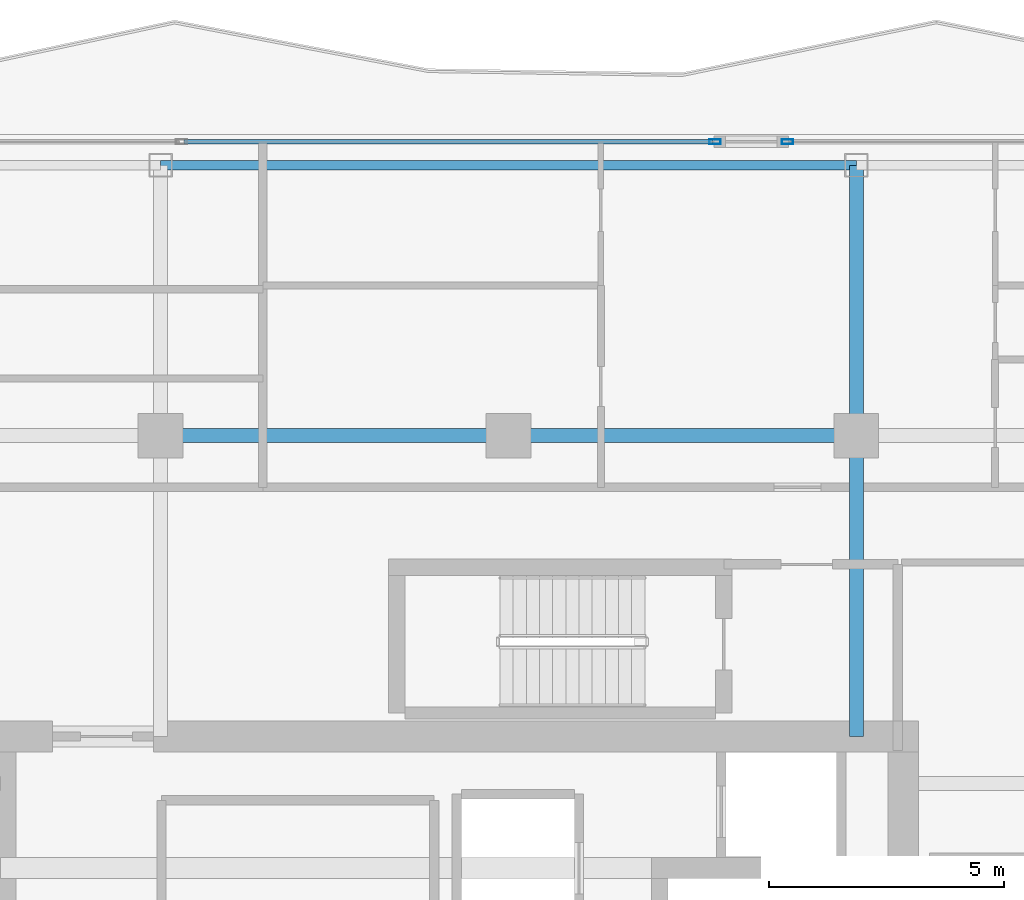
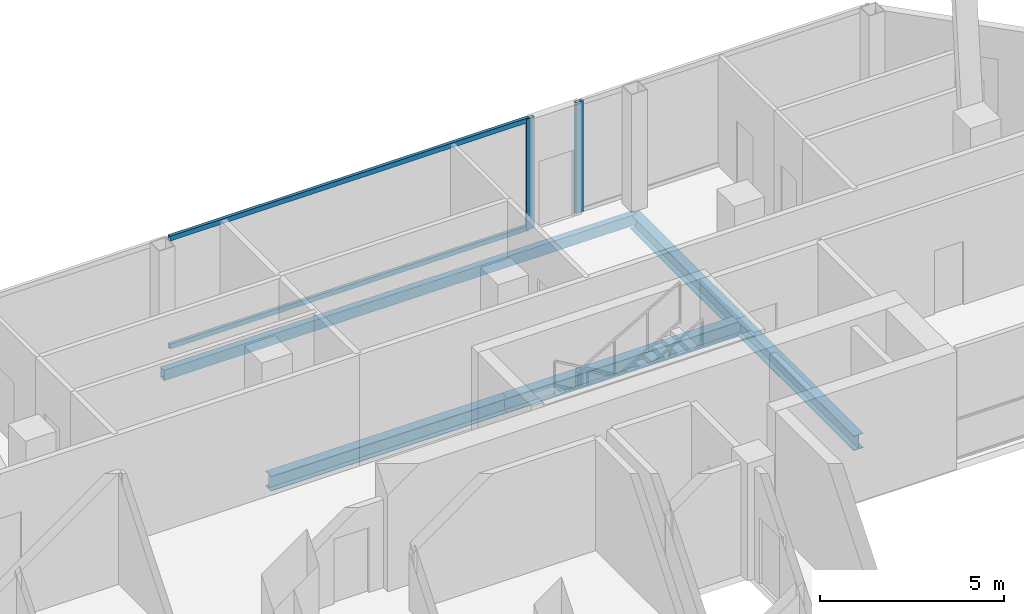
# One storey, part 13 of 24: 5 beams, 4 members, 2 elements without a shape of their own.
"""IFC4 building model written with IfcOpenShell, lengths in metres."""

from ifc_helpers import new_model, si_unit, direction, frame, origin, origin_2d, place, context, subcontext, project, spatial, hollow_rectangle, i_section, extrude, material, layer, layer_set, material_profile, profile_set, type_object, element, aggregate, save


model = new_model("IFC4")

# Units and contexts
model_context = context("Model", 3, precision=1e-05, world=origin(), true_north=direction((0.0, 1.0)))
body_context = subcontext(model_context, "Body", "Model", "MODEL_VIEW")
ifc_project = project(units=[si_unit("LENGTHUNIT", "METRE"), si_unit("AREAUNIT", "SQUARE_METRE"), si_unit("VOLUMEUNIT", "CUBIC_METRE"), si_unit("PLANEANGLEUNIT", "RADIAN"), si_unit("MASSUNIT", "GRAM", prefix="KILO")], contexts=[model_context])

# Site, building, storey
site_placement = place(None, origin())
site = spatial("IfcSite", under=ifc_project, at=site_placement, CompositionType="ELEMENT")
building_placement = place(site_placement, origin())
building = spatial("IfcBuilding", under=site, at=building_placement, Name="Khorvyn Point Tower", CompositionType="ELEMENT")
storey_placement = place(building_placement, frame((0.0, 0.0, 301.5)))
storey = spatial("IfcBuildingStorey", under=building, at=storey_placement, Name="L74", CompositionType="ELEMENT", Elevation=301.5)

# Curtain wall, member
ifc_material_1 = material(Name="Anodised aluminium 6063-T6 and laminated Low-E glass", Category="aluminium")
ifc_layer = layer(ifc_material_1, 0.18994140625)
ifc_layer_set = layer_set([ifc_layer], Name="Stick-Built High-Wind Curtain Wall CW-SYS-04")
curtain_wall_type = type_object("IfcCurtainWallType", Name="Stick-Built High-Wind Curtain Wall CW-SYS-04", PredefinedType="NOTDEFINED", material=ifc_layer_set)
curtain_wall_1_placement = place(storey_placement, origin())
curtain_wall_1 = element("IfcCurtainWall", 1, at=curtain_wall_1_placement, inside=storey, type_object=curtain_wall_type, Name="Curtain Wall", PredefinedType="NOTDEFINED")
ifc_material_2 = material(Name="Anodised aluminium 6063-T6", Category="aluminium")
ifc_material_profile_1 = material_profile(ifc_material_2, hollow_rectangle(XDim=0.10009765625, YDim=0.239990234375, WallThickness=0.0048828125, at=origin_2d()))
ifc_profile_set_1 = profile_set([ifc_material_profile_1], Name="Anodised aluminium 6063-T6 ALU-MUL-100x240")
member_type_1 = type_object("IfcMemberType", Name="Anodised Aluminium 6063-T6 Mullion ALU-MUL-100x240", PredefinedType="MULLION", material=ifc_profile_set_1)
member_1_placement = place(storey_placement, frame((4.39404296875, 21.050048828125, 0.0), z_axis=(0.0, 0.0, 1.0), x_axis=(0.0, 1.0, 0.0)))
member_1 = element("IfcMember", 2, at=member_1_placement, type_object=member_type_1, Name="Transom", PredefinedType="MULLION", context=body_context, shape_type="SweptSolid", body=[
    extrude(hollow_rectangle(XDim=0.10009765625, YDim=0.239990234375, WallThickness=0.0048828125, at=origin_2d()), origin(), (0.0, 0.0, 1.0), 3.679931640625),
])

curtain_wall_2_placement = place(storey_placement, origin())
curtain_wall_2 = element("IfcCurtainWall", 3, at=curtain_wall_2_placement, inside=storey, type_object=curtain_wall_type, Name="Curtain Wall", PredefinedType="NOTDEFINED")
member_2_placement = place(storey_placement, frame((5.93408203125, 21.050048828125, 0.0), z_axis=(0.0, 0.0, 1.0), x_axis=(0.0, 1.0, 0.0)))
member_2 = element("IfcMember", 4, at=member_2_placement, type_object=member_type_1, Name="Transom", PredefinedType="MULLION", context=body_context, shape_type="SweptSolid", body=[
    extrude(hollow_rectangle(XDim=0.10009765625, YDim=0.239990234375, WallThickness=0.0048828125, at=origin_2d()), origin(), (0.0, 0.0, 1.0), 3.679931640625),
])
aggregate(curtain_wall_2, [member_2])

# Member
ifc_material_profile_2 = material_profile(ifc_material_2, hollow_rectangle(XDim=0.10009765625, YDim=0.159912109375, WallThickness=0.00439453125, at=origin_2d()))
ifc_profile_set_2 = profile_set([ifc_material_profile_2], Name="Anodised aluminium 6063-T6 ALU-TRN-100x160")
member_type_2 = type_object("IfcMemberType", Name="Anodised Aluminium 6063-T6 Transom ALU-TRN-100x160", PredefinedType="USERDEFINED", material=ifc_profile_set_2)
member_3_placement = place(storey_placement, frame((-6.903076171875, 21.050048828125, 0.050048828125), z_axis=(1.0, 0.0, 0.0), x_axis=(0.0, 1.0, 0.0)))
member_3 = element("IfcMember", 5, at=member_3_placement, type_object=member_type_2, Name="Transom", ObjectType="TRANSOM", PredefinedType="USERDEFINED", context=body_context, shape_type="SweptSolid", body=[
    extrude(hollow_rectangle(XDim=0.10009765625, YDim=0.159912109375, WallThickness=0.00439453125, at=origin_2d()), origin(), (0.0, 0.0, 1.0), 11.2470703125),
])

member_4_placement = place(storey_placement, frame((-6.903076171875, 21.050048828125, 3.6298828125), z_axis=(1.0, 0.0, 0.0), x_axis=(0.0, 1.0, 0.0)))
member_4 = element("IfcMember", 6, at=member_4_placement, type_object=member_type_2, Name="Transom", ObjectType="TRANSOM", PredefinedType="USERDEFINED", context=body_context, shape_type="SweptSolid", body=[
    extrude(hollow_rectangle(XDim=0.10009765625, YDim=0.159912109375, WallThickness=0.00439453125, at=origin_2d()), origin(), (0.0, 0.0, 1.0), 11.2470703125),
])

aggregate(curtain_wall_1, [member_1, member_3, member_4])

# Beams
ifc_material_3 = material(Name="Steel S355", Category="steel")
ifc_material_profile_3 = material_profile(ifc_material_3, i_section(OverallWidth=0.300048828125, OverallDepth=0.488037109375, WebThickness=0.010986328125, FlangeThickness=0.01806640625, at=origin_2d()))
ifc_profile_set_3 = profile_set([ifc_material_profile_3], Name="Steel S355 H488x300x11x18")
beam_type_1 = type_object("IfcBeamType", Name="Steel S355 Spandrel H488x300x11x18", PredefinedType="SPANDREL", material=ifc_profile_set_3)
for number, where, z_axis, x_axis, name in (
    (7, (-7.39990234375, 14.800048828125, -0.464111328125), (1.0, 0.0, 0.0), (0.0, 1.0, 0.0), "Beam"),
    (8, (0.0, 14.800048828125, -0.464111328125), (1.0, 0.0, 0.0), (0.0, 1.0, 0.0), "Beam"),
):
    element("IfcBeam", number, at=place(storey_placement, frame(where, z_axis=z_axis, x_axis=x_axis)), inside=storey, type_object=beam_type_1, Name=name, PredefinedType="SPANDREL", context=body_context, shape_type="SweptSolid", body=[
        extrude(i_section(OverallWidth=0.300048828125, OverallDepth=0.488037109375, WebThickness=0.010986328125, FlangeThickness=0.01806640625, at=origin_2d()), origin(), (0.0, 0.0, 1.0), 7.39990234375),
    ])
beam_1_placement = place(storey_placement, frame((7.39990234375, 8.39990234375, -0.464111328125), z_axis=(0.0, 1.0, 0.0), x_axis=(-1.0, 0.0, 0.0)))
element("IfcBeam", 9, at=beam_1_placement, inside=storey, type_object=beam_type_1, Name="Beam", PredefinedType="SPANDREL", context=body_context, shape_type="SweptSolid", body=[
    extrude(i_section(OverallWidth=0.300048828125, OverallDepth=0.488037109375, WebThickness=0.010986328125, FlangeThickness=0.01806640625, at=origin_2d()), origin(), (0.0, 0.0, 1.0), 6.400146484375),
])
beam_2_placement = place(storey_placement, frame((7.39990234375, 14.800048828125, -0.464111328125), z_axis=(0.0, 1.0, 0.0), x_axis=(-1.0, 0.0, 0.0)))
element("IfcBeam", 10, at=beam_2_placement, inside=storey, type_object=beam_type_1, Name="Beam", PredefinedType="SPANDREL", context=body_context, shape_type="SweptSolid", body=[
    extrude(i_section(OverallWidth=0.300048828125, OverallDepth=0.488037109375, WebThickness=0.010986328125, FlangeThickness=0.01806640625, at=origin_2d()), origin(), (0.0, 0.0, 1.0), 5.75),
])
ifc_material_profile_4 = material_profile(ifc_material_3, hollow_rectangle(XDim=0.199951171875, YDim=0.35009765625, WallThickness=0.013916015625, at=origin_2d()))
ifc_profile_set_4 = profile_set([ifc_material_profile_4], Name="Steel S355 RHS350x200x14")
beam_type_2 = type_object("IfcBeamType", Name="Steel S355 Spandrel RHS350x200x14", PredefinedType="SPANDREL", material=ifc_profile_set_4)
beam_3_placement = place(storey_placement, frame((-7.39990234375, 20.550048828125, -0.39501953125), z_axis=(1.0, 0.0, 0.0), x_axis=(0.0, 1.0, 0.0)))
element("IfcBeam", 11, at=beam_3_placement, inside=storey, type_object=beam_type_2, Name="Beam", PredefinedType="SPANDREL", context=body_context, shape_type="SweptSolid", body=[
    extrude(hollow_rectangle(XDim=0.199951171875, YDim=0.35009765625, WallThickness=0.013916015625, at=origin_2d()), origin(), (0.0, 0.0, 1.0), 14.7998046875),
])

save(model, "model.ifc")
